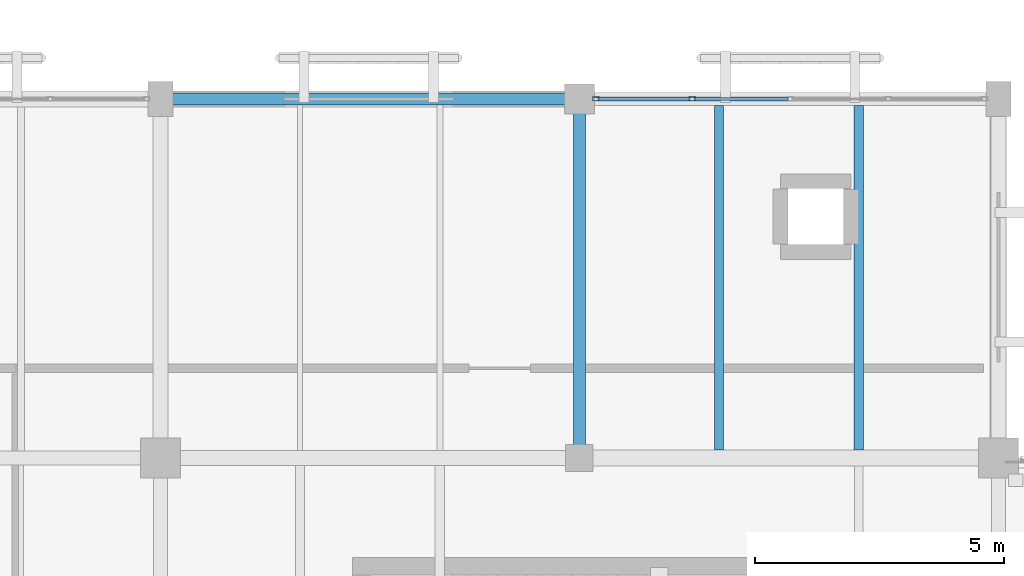
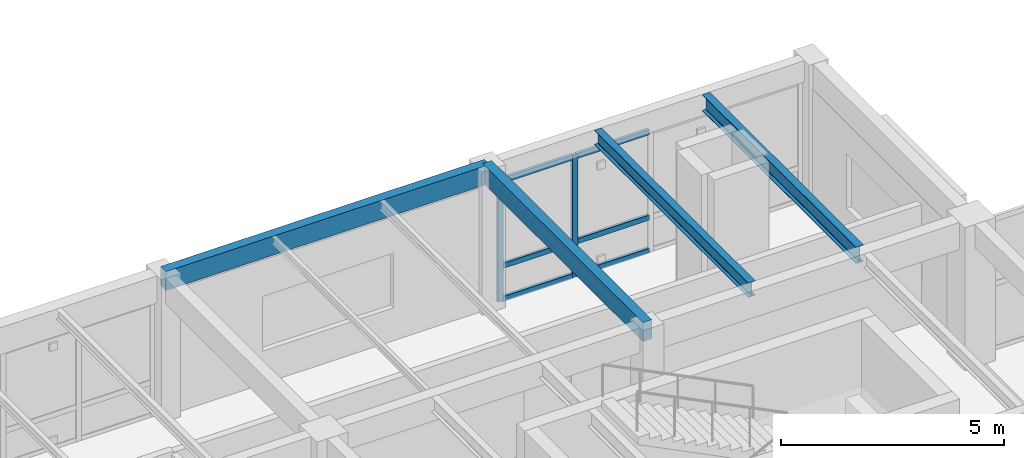
# One storey, part 55 of 170: 8 members, 4 beams, 1 element without a shape of its own.
"""IFC4 building model written with IfcOpenShell, lengths in metres."""

from ifc_helpers import new_model, si_unit, direction, frame, origin, origin_2d, place, context, subcontext, project, spatial, rectangle, hollow_rectangle, i_section, extrude, material, layer, layer_set, material_profile, profile_set, type_object, element, aggregate, save


model = new_model("IFC4")

# Units and contexts
model_context = context("Model", 3, precision=1e-05, world=origin(), true_north=direction((0.0, 1.0)))
body_context = subcontext(model_context, "Body", "Model", "MODEL_VIEW")
ifc_project = project(units=[si_unit("LENGTHUNIT", "METRE"), si_unit("AREAUNIT", "SQUARE_METRE"), si_unit("VOLUMEUNIT", "CUBIC_METRE"), si_unit("PLANEANGLEUNIT", "RADIAN"), si_unit("MASSUNIT", "GRAM", prefix="KILO")], contexts=[model_context])

# Site, building, storey
site_placement = place(None, origin())
site = spatial("IfcSite", under=ifc_project, at=site_placement, CompositionType="ELEMENT")
building_placement = place(site_placement, origin())
building = spatial("IfcBuilding", under=site, at=building_placement, Name="Mazaris Harbour Polytechnic", CompositionType="ELEMENT")
storey_placement = place(building_placement, frame((0.0, 0.0, 5.39990234375)))
storey = spatial("IfcBuildingStorey", under=building, at=storey_placement, Name="L01", CompositionType="ELEMENT", Elevation=5.39990234375)

# Curtain wall, members
ifc_material_1 = material(Name="Anodised Bronze Aluminium and Low-E Glass", Category="aluminium")
ifc_layer = layer(ifc_material_1, 0.159912109375, Name="Anodised Bronze Aluminium and Low-E Glass")
ifc_layer_set = layer_set([ifc_layer], Name="Anodised Bronze Aluminium and Low-E Glass")
curtain_wall_type = type_object("IfcCurtainWallType", Name="Cloister Court Curtain Wall", PredefinedType="NOTDEFINED", material=ifc_layer_set)
curtain_wall_placement = place(storey_placement, origin())
curtain_wall = element("IfcCurtainWall", 1, at=curtain_wall_placement, inside=storey, type_object=curtain_wall_type, Name="V3 L01 Curtain Wall 78", PredefinedType="NOTDEFINED")
ifc_material_2 = material(Name="Anodised Bronze Steel S355", Category="steel")
ifc_material_profile_1 = material_profile(ifc_material_2, hollow_rectangle(XDim=0.080078125, YDim=0.139892578125, WallThickness=0.00634765625, at=origin_2d()), Name="RHS 80x140x6.3")
ifc_profile_set_1 = profile_set([ifc_material_profile_1], Name="Anodised Bronze Steel S355")
member_type_1 = type_object("IfcMemberType", Name="Curtain Mullion RHS80x140", PredefinedType="MULLION", material=ifc_profile_set_1)
member_1_placement = place(storey_placement, frame((104.73193359375, 36.0, 0.0), z_axis=(0.0, 0.0, 1.0), x_axis=(0.0, 1.0, 0.0)))
member_1 = element("IfcMember", 2, at=member_1_placement, type_object=member_type_1, Name="CW-02 mullion 1", PredefinedType="MULLION", context=body_context, shape_type="SweptSolid", body=[
    extrude(hollow_rectangle(XDim=0.080078125, YDim=0.139892578125, WallThickness=0.00634765625, at=origin_2d()), origin(), (0.0, 0.0, 1.0), 3.330078125),
])
member_2_placement = place(storey_placement, frame((106.658447265625, 36.0, 0.0), z_axis=(0.0, 0.0, 1.0), x_axis=(0.0, 1.0, 0.0)))
member_2 = element("IfcMember", 3, at=member_2_placement, type_object=member_type_1, Name="CW-02 mullion 2", PredefinedType="MULLION", context=body_context, shape_type="SweptSolid", body=[
    extrude(hollow_rectangle(XDim=0.080078125, YDim=0.139892578125, WallThickness=0.00634765625, at=origin_2d()), origin(), (0.0, 0.0, 1.0), 3.330078125),
])
ifc_material_3 = material(Name="Anodised Bronze Steel S355", Category="steel")
ifc_material_profile_2 = material_profile(ifc_material_3, hollow_rectangle(XDim=0.080078125, YDim=0.139892578125, WallThickness=0.00634765625, at=origin_2d()), Name="RHS 80x140x6.3")
ifc_profile_set_2 = profile_set([ifc_material_profile_2], Name="Anodised Bronze Steel S355")
member_type_2 = type_object("IfcMemberType", Name="Curtain Transom RHS80x140", PredefinedType="USERDEFINED", material=ifc_profile_set_2)
member_3_placement = place(storey_placement, frame((104.77197265625, 36.0, 0.0400390625), z_axis=(1.0, 0.0, 0.0), x_axis=(0.0, 1.0, 0.0)))
member_3 = element("IfcMember", 4, at=member_3_placement, type_object=member_type_2, Name="CW-02 transom 1.1", ObjectType="TRANSOM", PredefinedType="USERDEFINED", context=body_context, shape_type="SweptSolid", body=[
    extrude(hollow_rectangle(XDim=0.080078125, YDim=0.139892578125, WallThickness=0.00634765625, at=origin_2d()), origin(), (0.0, 0.0, 1.0), 1.846435546875),
])
member_4_placement = place(storey_placement, frame((104.77197265625, 36.0, 0.9501953125), z_axis=(1.0, 0.0, 0.0), x_axis=(0.0, 1.0, 0.0)))
member_4 = element("IfcMember", 5, at=member_4_placement, type_object=member_type_2, Name="CW-02 transom 1.2", ObjectType="TRANSOM", PredefinedType="USERDEFINED", context=body_context, shape_type="SweptSolid", body=[
    extrude(hollow_rectangle(XDim=0.080078125, YDim=0.139892578125, WallThickness=0.00634765625, at=origin_2d()), origin(), (0.0, 0.0, 1.0), 1.846435546875),
])
member_5_placement = place(storey_placement, frame((104.77197265625, 36.0, 3.2900390625), z_axis=(1.0, 0.0, 0.0), x_axis=(0.0, 1.0, 0.0)))
member_5 = element("IfcMember", 6, at=member_5_placement, type_object=member_type_2, Name="CW-02 transom 1.3", ObjectType="TRANSOM", PredefinedType="USERDEFINED", context=body_context, shape_type="SweptSolid", body=[
    extrude(hollow_rectangle(XDim=0.080078125, YDim=0.139892578125, WallThickness=0.00634765625, at=origin_2d()), origin(), (0.0, 0.0, 1.0), 1.846435546875),
])
member_6_placement = place(storey_placement, frame((106.698486328125, 36.0, 0.0400390625), z_axis=(1.0, 0.0, 0.0), x_axis=(0.0, 1.0, 0.0)))
member_6 = element("IfcMember", 7, at=member_6_placement, type_object=member_type_2, Name="CW-02 transom 2.1", ObjectType="TRANSOM", PredefinedType="USERDEFINED", context=body_context, shape_type="SweptSolid", body=[
    extrude(hollow_rectangle(XDim=0.080078125, YDim=0.139892578125, WallThickness=0.00634765625, at=origin_2d()), origin(), (0.0, 0.0, 1.0), 1.886474609375),
])
member_7_placement = place(storey_placement, frame((106.698486328125, 36.0, 0.9501953125), z_axis=(1.0, 0.0, 0.0), x_axis=(0.0, 1.0, 0.0)))
member_7 = element("IfcMember", 8, at=member_7_placement, type_object=member_type_2, Name="CW-02 transom 2.2", ObjectType="TRANSOM", PredefinedType="USERDEFINED", context=body_context, shape_type="SweptSolid", body=[
    extrude(hollow_rectangle(XDim=0.080078125, YDim=0.139892578125, WallThickness=0.00634765625, at=origin_2d()), origin(), (0.0, 0.0, 1.0), 1.886474609375),
])
member_8_placement = place(storey_placement, frame((106.698486328125, 36.0, 3.2900390625), z_axis=(1.0, 0.0, 0.0), x_axis=(0.0, 1.0, 0.0)))
member_8 = element("IfcMember", 9, at=member_8_placement, type_object=member_type_2, Name="CW-02 transom 2.3", ObjectType="TRANSOM", PredefinedType="USERDEFINED", context=body_context, shape_type="SweptSolid", body=[
    extrude(hollow_rectangle(XDim=0.080078125, YDim=0.139892578125, WallThickness=0.00634765625, at=origin_2d()), origin(), (0.0, 0.0, 1.0), 1.886474609375),
])
aggregate(curtain_wall, [member_1, member_2, member_3, member_4, member_5, member_6, member_7, member_8])

# Beams
ifc_material_4 = material(Name="Glulam GL32h", Category="wood")
ifc_material_profile_3 = material_profile(ifc_material_4, rectangle(XDim=0.239990234375, YDim=0.52001953125, at=origin_2d()), Name="RECT240x520")
ifc_profile_set_3 = profile_set([ifc_material_profile_3], Name="Glulam GL32h")
beam_type_1 = type_object("IfcBeamType", Name="Glulam Girder 240x520", PredefinedType="BEAM", material=ifc_profile_set_3)
beam_1_placement = place(storey_placement, frame((104.39990234375, 28.800048828125, 3.66015625), z_axis=(0.0, 1.0, 0.0), x_axis=(-1.0, 0.0, 0.0)))
element("IfcBeam", 10, at=beam_1_placement, inside=storey, type_object=beam_type_1, Name="V3 L01 Tie Girder 1015", PredefinedType="BEAM", context=body_context, shape_type="SweptSolid", body=[
    extrude(rectangle(XDim=0.239990234375, YDim=0.52001953125, at=origin_2d()), origin(), (0.0, 0.0, 1.0), 7.199951171875),
])
ifc_material_5 = material(Name="Glulam GL32h", Category="wood")
ifc_material_profile_4 = material_profile(ifc_material_5, rectangle(XDim=0.239990234375, YDim=0.52001953125, at=origin_2d()), Name="RECT240x520")
ifc_profile_set_4 = profile_set([ifc_material_profile_4], Name="Glulam GL32h")
beam_type_2 = type_object("IfcBeamType", Name="Glulam Girder 240x520 Exterior", PredefinedType="BEAM", material=ifc_profile_set_4)
beam_2_placement = place(storey_placement, frame((96.0, 36.0, 3.66015625), z_axis=(1.0, 0.0, 0.0), x_axis=(0.0, 1.0, 0.0)))
element("IfcBeam", 11, at=beam_2_placement, inside=storey, type_object=beam_type_2, Name="V3 L01 Girder 995", PredefinedType="BEAM", context=body_context, shape_type="SweptSolid", body=[
    extrude(rectangle(XDim=0.239990234375, YDim=0.52001953125, at=origin_2d()), origin(), (0.0, 0.0, 1.0), 8.39990234375),
])
ifc_material_6 = material(Name="Steel S355", Category="steel")
ifc_material_profile_5 = material_profile(ifc_material_6, i_section(OverallWidth=0.179931640625, OverallDepth=0.39990234375, WebThickness=0.008544921875, FlangeThickness=0.013427734375, FilletRadius=0.02099609375, at=origin_2d()), Name="IPE 400")
ifc_profile_set_5 = profile_set([ifc_material_profile_5], Name="Steel S355")
beam_type_3 = type_object("IfcBeamType", Name="Steel Joist IPE400", PredefinedType="JOIST", material=ifc_profile_set_5)
beam_3_placement = place(storey_placement, frame((107.199951171875, 28.9599609375, 3.72021484375), z_axis=(0.0, 1.0, 0.0), x_axis=(-1.0, 0.0, 0.0)))
element("IfcBeam", 12, at=beam_3_placement, inside=storey, type_object=beam_type_3, Name="V3 L01 Floor Joist 1055", PredefinedType="JOIST", context=body_context, shape_type="SweptSolid", body=[
    extrude(i_section(OverallWidth=0.179931640625, OverallDepth=0.39990234375, WebThickness=0.008544921875, FlangeThickness=0.013427734375, FilletRadius=0.02099609375, at=origin_2d()), origin(), (0.0, 0.0, 1.0), 6.91015625),
])
ifc_material_7 = material(Name="Steel S355", Category="steel")
ifc_material_profile_6 = material_profile(ifc_material_7, i_section(OverallWidth=0.18994140625, OverallDepth=0.449951171875, WebThickness=0.009521484375, FlangeThickness=0.0146484375, FilletRadius=0.02099609375, at=origin_2d()), Name="IPE 450")
ifc_profile_set_6 = profile_set([ifc_material_profile_6], Name="Steel S355")
beam_type_4 = type_object("IfcBeamType", Name="Steel Joist IPE450", PredefinedType="JOIST", material=ifc_profile_set_6)
beam_4_placement = place(storey_placement, frame((110.0, 28.9599609375, 3.695068359375), z_axis=(0.0, 1.0, 0.0), x_axis=(-1.0, 0.0, 0.0)))
element("IfcBeam", 13, at=beam_4_placement, inside=storey, type_object=beam_type_4, Name="V3 L01 Floor Joist 1056", PredefinedType="JOIST", context=body_context, shape_type="SweptSolid", body=[
    extrude(i_section(OverallWidth=0.18994140625, OverallDepth=0.449951171875, WebThickness=0.009521484375, FlangeThickness=0.0146484375, FilletRadius=0.02099609375, at=origin_2d()), origin(), (0.0, 0.0, 1.0), 6.91015625),
])

save(model, "model.ifc")
